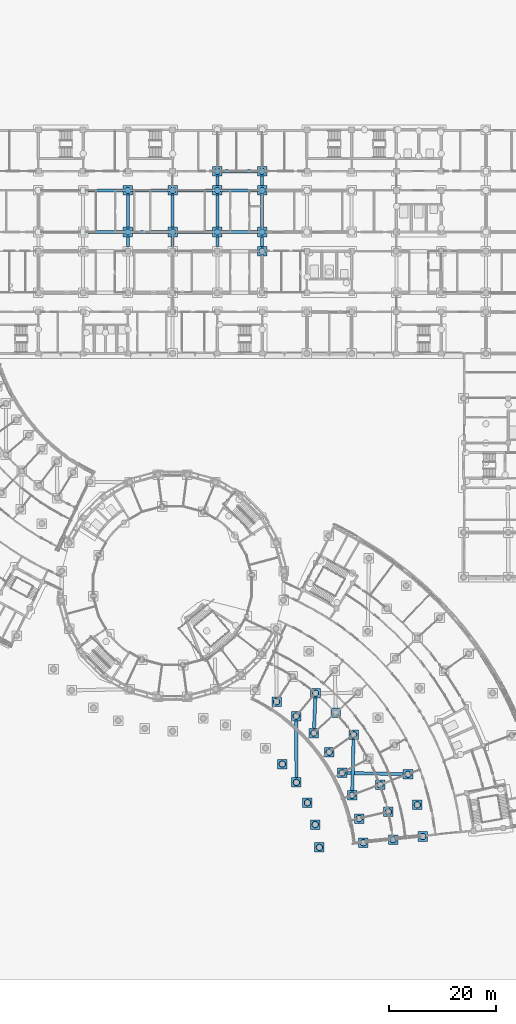
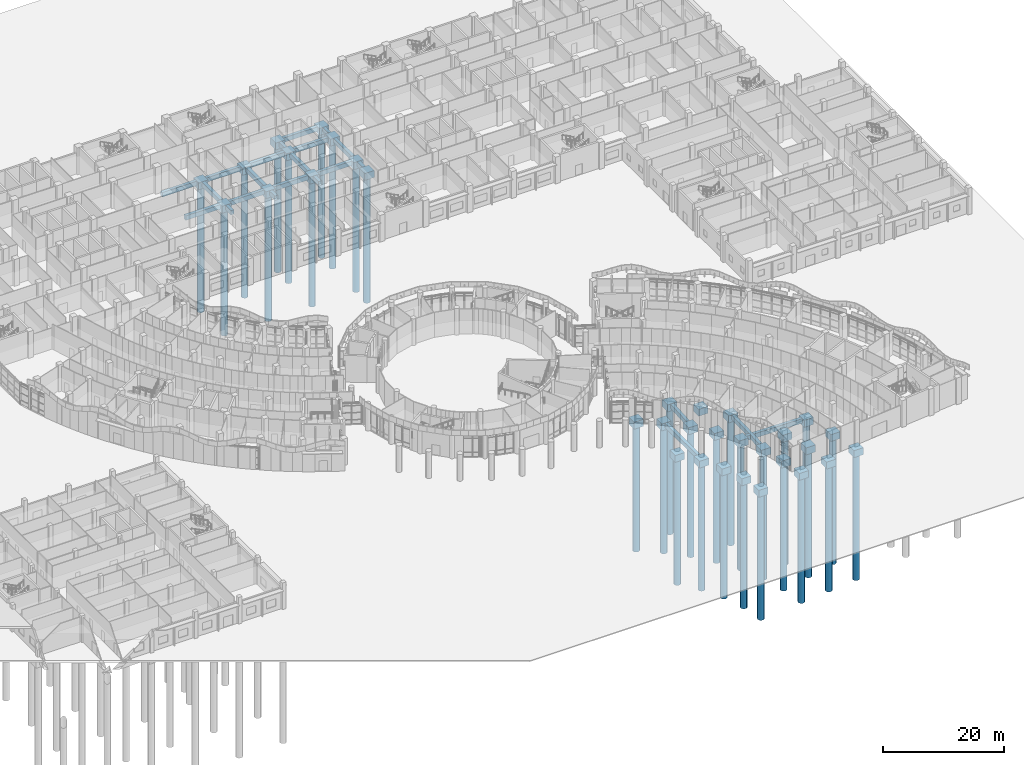
# One storey, part 6 of 146: 56 footings, 32 piles.
"""IFC4 building model written with IfcOpenShell, lengths in metres."""

from ifc_helpers import new_model, si_unit, direction, frame, origin, origin_2d, place, context, subcontext, project, spatial, polyline, rectangle, circle, outline, extrude, material, material_profile, profile_set, type_object, element, save


model = new_model("IFC4")

# Units and contexts
model_context = context("Model", 3, precision=1e-05, world=origin(), true_north=direction((0.0, 1.0)))
body_context = subcontext(model_context, "Body", "Model", "MODEL_VIEW")
ifc_project = project(units=[si_unit("LENGTHUNIT", "METRE"), si_unit("AREAUNIT", "SQUARE_METRE"), si_unit("VOLUMEUNIT", "CUBIC_METRE"), si_unit("PLANEANGLEUNIT", "RADIAN"), si_unit("MASSUNIT", "GRAM", prefix="KILO")], contexts=[model_context])

# Site, building, storey
site_placement = place(None, origin())
site = spatial("IfcSite", under=ifc_project, at=site_placement, CompositionType="ELEMENT")
building_placement = place(site_placement, origin())
building = spatial("IfcBuilding", under=site, at=building_placement, Name="Bougainvillea Quay General Hospital", CompositionType="ELEMENT")
storey_placement = place(building_placement, origin())
storey = spatial("IfcBuildingStorey", under=building, at=storey_placement, Name="L00", CompositionType="ELEMENT", Elevation=0.0)

# Piles
ifc_material_1 = material(Name="Concrete C40", Category="concrete")
ifc_material_profile_1 = material_profile(ifc_material_1, circle(Radius=0.60009765625, at=origin_2d()))
ifc_profile_set_1 = profile_set([ifc_material_profile_1], Name="Concrete C40")
pile_type = type_object("IfcPileType", Name="BORED PILE D1200 C40", PredefinedType="BORED", material=ifc_profile_set_1)
for number, where, z_axis, x_axis, name in (
    (1, (136.748046875, 24.89501953125, -1.60009765625), (0.0, 0.0, -1.0), (1.0, 0.0, 0.0), "Bored pile 001-01"),
    (2, (145.0029296875, 25.76611328125, -1.60009765625), (0.0, 0.0, -1.0), (1.0, 0.0, 0.0), "Bored pile 002-01"),
    (3, (150.572021484375, 26.35107421875, -1.60009765625), (0.0, 0.0, -1.0), (1.0, 0.0, 0.0), "Bored pile 003-01"),
    (4, (156.14111328125, 26.93701171875, -1.60009765625), (0.0, 0.0, -1.0), (1.0, 0.0, 0.0), "Bored pile 004-01"),
    (5, (135.9560546875, 29.1689453125, -1.60009765625), (0.0, 0.0, -1.0), (1.0, 0.0, 0.0), "Bored pile 006-01"),
    (6, (144.23193359375, 30.2919921875, -1.60009765625), (0.0, 0.0, -1.0), (1.0, 0.0, 0.0), "Bored pile 007-01"),
    (7, (149.681884765625, 31.5810546875, -1.60009765625), (0.0, 0.0, -1.0), (1.0, 0.0, 0.0), "Bored pile 008-01"),
    (8, (155.131103515625, 32.87109375, -1.60009765625), (0.0, 0.0, -1.0), (1.0, 0.0, 0.0), "Bored pile 010-01"),
    (9, (134.5048828125, 33.26708984375, -1.60009765625), (0.0, 0.0, -1.0), (1.0, 0.0, 0.0), "Bored pile 011-01"),
    (10, (142.89208984375, 34.68310546875, -1.60009765625), (0.0, 0.0, -1.0), (1.0, 0.0, 0.0), "Bored pile 018-01"),
    (11, (148.133056640625, 36.656005859375, -1.60009765625), (0.0, 0.0, -1.0), (1.0, 0.0, 0.0), "Bored pile 019-01"),
    (12, (132.430908203125, 37.0869140625, -1.60009765625), (0.0, 0.0, -1.0), (1.0, 0.0, 0.0), "Bored pile 020-01"),
    (13, (153.3740234375, 38.62890625, -1.60009765625), (0.0, 0.0, -1.0), (1.0, 0.0, 0.0), "Bored pile 022-01"),
    (14, (141.00390625, 38.867919921875, -1.60009765625), (0.0, 0.0, -1.0), (1.0, 0.0, 0.0), "Bored pile 023-01"),
    (15, (129.784912109375, 40.534912109375, -1.60009765625), (0.0, 0.0, -1.0), (1.0, 0.0, 0.0), "Bored pile 024-01"),
    (16, (138.597900390625, 42.778076171875, -1.60009765625), (0.0, 0.0, -1.0), (1.0, 0.0, 0.0), "Bored pile 032-01"),
    (17, (143.1708984375, 46.010009765625, -1.60009765625), (0.0, 0.0, -1.0), (1.0, 0.0, 0.0), "Bored pile 037-01"),
    (18, (135.715087890625, 46.35107421875, -1.60009765625), (0.0, 0.0, -1.0), (1.0, 0.0, 0.0), "Bored pile 038-01"),
    (19, (132.39990234375, 49.527099609375, -1.60009765625), (0.0, 0.0, -1.0), (1.0, 0.0, 0.0), "Bored pile 046-01"),
    (20, (128.7080078125, 52.256103515625, -1.60009765625), (0.0, 0.0, -1.0), (1.0, 0.0, 0.0), "Bored pile 052-01"),
    (21, (136.009033203125, 53.81005859375, -1.60009765625), (0.0, 0.0, -1.0), (1.0, 0.0, 0.0), "Bored pile 055-01"),
    (22, (126.0, 136.800048828125, -1.60009765625), (0.0, 0.0, -1.0), (1.0, 0.0, 0.0), "Bored pile 229-01"),
    (23, (100.800048828125, 140.39990234375, -1.60009765625), (0.0, 0.0, -1.0), (1.0, 0.0, 0.0), "Bored pile 241-01"),
    (24, (109.199951171875, 140.39990234375, -1.60009765625), (0.0, 0.0, -1.0), (1.0, 0.0, 0.0), "Bored pile 242-01"),
    (25, (117.60009765625, 140.39990234375, -1.60009765625), (0.0, 0.0, -1.0), (1.0, 0.0, 0.0), "Bored pile 243-01"),
    (26, (126.0, 140.39990234375, -1.60009765625), (0.0, 0.0, -1.0), (1.0, 0.0, 0.0), "Bored pile 244-01"),
    (27, (100.800048828125, 148.199951171875, -1.60009765625), (0.0, 0.0, -1.0), (1.0, 0.0, 0.0), "Bored pile 258-01"),
    (28, (109.199951171875, 148.199951171875, -1.60009765625), (0.0, 0.0, -1.0), (1.0, 0.0, 0.0), "Bored pile 259-01"),
    (29, (117.60009765625, 148.199951171875, -1.60009765625), (0.0, 0.0, -1.0), (1.0, 0.0, 0.0), "Bored pile 260-01"),
    (30, (126.0, 148.199951171875, -1.60009765625), (0.0, 0.0, -1.0), (1.0, 0.0, 0.0), "Bored pile 261-01"),
    (31, (117.60009765625, 151.800048828125, -1.60009765625), (0.0, 0.0, -1.0), (1.0, 0.0, 0.0), "Bored pile 268-01"),
    (32, (126.0, 151.800048828125, -1.60009765625), (0.0, 0.0, -1.0), (1.0, 0.0, 0.0), "Bored pile 269-01"),
):
    element("IfcPile", number, at=place(storey_placement, frame(where, z_axis=z_axis, x_axis=x_axis)), inside=storey, type_object=pile_type, Name=name, PredefinedType="BORED", context=body_context, shape_type="SweptSolid", body=[
        extrude(circle(Radius=0.60009765625, at=origin_2d()), origin(), (0.0, 0.0, 1.0), 25.39990234375),
    ])

# Footings
ifc_material_2 = material(Name="Concrete C35", Category="concrete")
footing_type_1 = type_object("IfcFootingType", Name="PILE CAP 1P D1200 1800x1800x1400", PredefinedType="PILE_CAP", material=ifc_material_2)
footing_1_placement = place(storey_placement, frame((0.0, 0.0, -1.699951171875)))
element("IfcFooting", 33, at=footing_1_placement, inside=storey, type_object=footing_type_1, Name="Pile cap PC1 001", PredefinedType="PILE_CAP", context=body_context, shape_type="SweptSolid", body=[
    extrude(outline(polyline([(135.847900390625, 23.9951171875), (137.64794921875, 23.9951171875), (137.64794921875, 25.794921875), (135.847900390625, 25.794921875), (135.847900390625, 23.9951171875)])), origin(), (0.0, 0.0, 1.0), 1.39990234375),
])
footing_2_placement = place(storey_placement, frame((0.0, 0.0, -1.699951171875)))
element("IfcFooting", 34, at=footing_2_placement, inside=storey, type_object=footing_type_1, Name="Pile cap PC1 002", PredefinedType="PILE_CAP", context=body_context, shape_type="SweptSolid", body=[
    extrude(outline(polyline([(144.10302734375, 24.865966796875), (145.903076171875, 24.865966796875), (145.903076171875, 26.666015625), (144.10302734375, 26.666015625), (144.10302734375, 24.865966796875)])), origin(), (0.0, 0.0, 1.0), 1.39990234375),
])
footing_3_placement = place(storey_placement, frame((0.0, 0.0, -1.699951171875)))
element("IfcFooting", 35, at=footing_3_placement, inside=storey, type_object=footing_type_1, Name="Pile cap PC1 003", PredefinedType="PILE_CAP", context=body_context, shape_type="SweptSolid", body=[
    extrude(outline(polyline([(149.672119140625, 25.450927734375), (151.471923828125, 25.450927734375), (151.471923828125, 27.2509765625), (149.672119140625, 27.2509765625), (149.672119140625, 25.450927734375)])), origin(), (0.0, 0.0, 1.0), 1.39990234375),
])
footing_4_placement = place(storey_placement, frame((0.0, 0.0, -1.699951171875)))
element("IfcFooting", 36, at=footing_4_placement, inside=storey, type_object=footing_type_1, Name="Pile cap PC1 004", PredefinedType="PILE_CAP", context=body_context, shape_type="SweptSolid", body=[
    extrude(outline(polyline([(155.240966796875, 26.037109375), (157.041015625, 26.037109375), (157.041015625, 27.8369140625), (155.240966796875, 27.8369140625), (155.240966796875, 26.037109375)])), origin(), (0.0, 0.0, 1.0), 1.39990234375),
])
footing_5_placement = place(storey_placement, frame((0.0, 0.0, -1.699951171875)))
element("IfcFooting", 37, at=footing_5_placement, inside=storey, type_object=footing_type_1, Name="Pile cap PC1 006", PredefinedType="PILE_CAP", context=body_context, shape_type="SweptSolid", body=[
    extrude(outline(polyline([(135.055908203125, 28.26904296875), (136.85595703125, 28.26904296875), (136.85595703125, 30.069091796875), (135.055908203125, 30.069091796875), (135.055908203125, 28.26904296875)])), origin(), (0.0, 0.0, 1.0), 1.39990234375),
])
footing_6_placement = place(storey_placement, frame((0.0, 0.0, -1.699951171875)))
element("IfcFooting", 38, at=footing_6_placement, inside=storey, type_object=footing_type_1, Name="Pile cap PC1 007", PredefinedType="PILE_CAP", context=body_context, shape_type="SweptSolid", body=[
    extrude(outline(polyline([(143.33203125, 29.39208984375), (145.132080078125, 29.39208984375), (145.132080078125, 31.19189453125), (143.33203125, 31.19189453125), (143.33203125, 29.39208984375)])), origin(), (0.0, 0.0, 1.0), 1.39990234375),
])
footing_7_placement = place(storey_placement, frame((0.0, 0.0, -1.699951171875)))
element("IfcFooting", 39, at=footing_7_placement, inside=storey, type_object=footing_type_1, Name="Pile cap PC1 008", PredefinedType="PILE_CAP", context=body_context, shape_type="SweptSolid", body=[
    extrude(outline(polyline([(148.781982421875, 30.680908203125), (150.58203125, 30.680908203125), (150.58203125, 32.48095703125), (148.781982421875, 32.48095703125), (148.781982421875, 30.680908203125)])), origin(), (0.0, 0.0, 1.0), 1.39990234375),
])
footing_8_placement = place(storey_placement, frame((0.0, 0.0, -1.699951171875)))
element("IfcFooting", 40, at=footing_8_placement, inside=storey, type_object=footing_type_1, Name="Pile cap PC1 010", PredefinedType="PILE_CAP", context=body_context, shape_type="SweptSolid", body=[
    extrude(outline(polyline([(154.23095703125, 31.970947265625), (156.031005859375, 31.970947265625), (156.031005859375, 33.77099609375), (154.23095703125, 33.77099609375), (154.23095703125, 31.970947265625)])), origin(), (0.0, 0.0, 1.0), 1.39990234375),
])
footing_9_placement = place(storey_placement, frame((0.0, 0.0, -1.699951171875)))
element("IfcFooting", 41, at=footing_9_placement, inside=storey, type_object=footing_type_1, Name="Pile cap PC1 011", PredefinedType="PILE_CAP", context=body_context, shape_type="SweptSolid", body=[
    extrude(outline(polyline([(133.60498046875, 32.366943359375), (135.405029296875, 32.366943359375), (135.405029296875, 34.1669921875), (133.60498046875, 34.1669921875), (133.60498046875, 32.366943359375)])), origin(), (0.0, 0.0, 1.0), 1.39990234375),
])
footing_10_placement = place(storey_placement, frame((0.0, 0.0, -1.699951171875)))
element("IfcFooting", 42, at=footing_10_placement, inside=storey, type_object=footing_type_1, Name="Pile cap PC1 018", PredefinedType="PILE_CAP", context=body_context, shape_type="SweptSolid", body=[
    extrude(outline(polyline([(141.991943359375, 33.782958984375), (143.7919921875, 33.782958984375), (143.7919921875, 35.5830078125), (141.991943359375, 35.5830078125), (141.991943359375, 33.782958984375)])), origin(), (0.0, 0.0, 1.0), 1.39990234375),
])
footing_11_placement = place(storey_placement, frame((0.0, 0.0, -1.699951171875)))
element("IfcFooting", 43, at=footing_11_placement, inside=storey, type_object=footing_type_1, Name="Pile cap PC1 019", PredefinedType="PILE_CAP", context=body_context, shape_type="SweptSolid", body=[
    extrude(outline(polyline([(147.23291015625, 35.756103515625), (149.032958984375, 35.756103515625), (149.032958984375, 37.555908203125), (147.23291015625, 37.555908203125), (147.23291015625, 35.756103515625)])), origin(), (0.0, 0.0, 1.0), 1.39990234375),
])
footing_12_placement = place(storey_placement, frame((0.0, 0.0, -1.699951171875)))
element("IfcFooting", 44, at=footing_12_placement, inside=storey, type_object=footing_type_1, Name="Pile cap PC1 020", PredefinedType="PILE_CAP", context=body_context, shape_type="SweptSolid", body=[
    extrude(outline(polyline([(131.531005859375, 36.18701171875), (133.3310546875, 36.18701171875), (133.3310546875, 37.987060546875), (131.531005859375, 37.987060546875), (131.531005859375, 36.18701171875)])), origin(), (0.0, 0.0, 1.0), 1.39990234375),
])
footing_13_placement = place(storey_placement, frame((0.0, 0.0, -1.699951171875)))
element("IfcFooting", 45, at=footing_13_placement, inside=storey, type_object=footing_type_1, Name="Pile cap PC1 022", PredefinedType="PILE_CAP", context=body_context, shape_type="SweptSolid", body=[
    extrude(outline(polyline([(152.47412109375, 37.72900390625), (154.27392578125, 37.72900390625), (154.27392578125, 39.529052734375), (152.47412109375, 39.529052734375), (152.47412109375, 37.72900390625)])), origin(), (0.0, 0.0, 1.0), 1.39990234375),
])
footing_14_placement = place(storey_placement, frame((0.0, 0.0, -1.699951171875)))
element("IfcFooting", 46, at=footing_14_placement, inside=storey, type_object=footing_type_1, Name="Pile cap PC1 023", PredefinedType="PILE_CAP", context=body_context, shape_type="SweptSolid", body=[
    extrude(outline(polyline([(140.10400390625, 37.968017578125), (141.904052734375, 37.968017578125), (141.904052734375, 39.76806640625), (140.10400390625, 39.76806640625), (140.10400390625, 37.968017578125)])), origin(), (0.0, 0.0, 1.0), 1.39990234375),
])
footing_15_placement = place(storey_placement, frame((0.0, 0.0, -1.699951171875)))
element("IfcFooting", 47, at=footing_15_placement, inside=storey, type_object=footing_type_1, Name="Pile cap PC1 024", PredefinedType="PILE_CAP", context=body_context, shape_type="SweptSolid", body=[
    extrude(outline(polyline([(128.885009765625, 39.635009765625), (130.68505859375, 39.635009765625), (130.68505859375, 41.43505859375), (128.885009765625, 41.43505859375), (128.885009765625, 39.635009765625)])), origin(), (0.0, 0.0, 1.0), 1.39990234375),
])
footing_16_placement = place(storey_placement, frame((0.0, 0.0, -1.699951171875)))
element("IfcFooting", 48, at=footing_16_placement, inside=storey, type_object=footing_type_1, Name="Pile cap PC1 032", PredefinedType="PILE_CAP", context=body_context, shape_type="SweptSolid", body=[
    extrude(outline(polyline([(137.697998046875, 41.8779296875), (139.498046875, 41.8779296875), (139.498046875, 43.677978515625), (137.697998046875, 43.677978515625), (137.697998046875, 41.8779296875)])), origin(), (0.0, 0.0, 1.0), 1.39990234375),
])
footing_17_placement = place(storey_placement, frame((0.0, 0.0, -1.699951171875)))
element("IfcFooting", 49, at=footing_17_placement, inside=storey, type_object=footing_type_1, Name="Pile cap PC1 037", PredefinedType="PILE_CAP", context=body_context, shape_type="SweptSolid", body=[
    extrude(outline(polyline([(142.27099609375, 45.110107421875), (144.071044921875, 45.110107421875), (144.071044921875, 46.909912109375), (142.27099609375, 46.909912109375), (142.27099609375, 45.110107421875)])), origin(), (0.0, 0.0, 1.0), 1.39990234375),
])
footing_18_placement = place(storey_placement, frame((0.0, 0.0, -1.699951171875)))
element("IfcFooting", 50, at=footing_18_placement, inside=storey, type_object=footing_type_1, Name="Pile cap PC1 038", PredefinedType="PILE_CAP", context=body_context, shape_type="SweptSolid", body=[
    extrude(outline(polyline([(134.81494140625, 45.450927734375), (136.614990234375, 45.450927734375), (136.614990234375, 47.2509765625), (134.81494140625, 47.2509765625), (134.81494140625, 45.450927734375)])), origin(), (0.0, 0.0, 1.0), 1.39990234375),
])
footing_19_placement = place(storey_placement, frame((0.0, 0.0, -1.699951171875)))
element("IfcFooting", 51, at=footing_19_placement, inside=storey, type_object=footing_type_1, Name="Pile cap PC1 046", PredefinedType="PILE_CAP", context=body_context, shape_type="SweptSolid", body=[
    extrude(outline(polyline([(131.5, 48.626953125), (133.300048828125, 48.626953125), (133.300048828125, 50.427001953125), (131.5, 50.427001953125), (131.5, 48.626953125)])), origin(), (0.0, 0.0, 1.0), 1.39990234375),
])
footing_20_placement = place(storey_placement, frame((0.0, 0.0, -1.699951171875)))
element("IfcFooting", 52, at=footing_20_placement, inside=storey, type_object=footing_type_1, Name="Pile cap PC1 047", PredefinedType="PILE_CAP", context=body_context, shape_type="SweptSolid", body=[
    extrude(outline(polyline([(138.93896484375, 49.239013671875), (140.739013671875, 49.239013671875), (140.739013671875, 51.0390625), (138.93896484375, 51.0390625), (138.93896484375, 49.239013671875)])), origin(), (0.0, 0.0, 1.0), 1.39990234375),
])
footing_21_placement = place(storey_placement, frame((0.0, 0.0, -1.699951171875)))
element("IfcFooting", 53, at=footing_21_placement, inside=storey, type_object=footing_type_1, Name="Pile cap PC1 052", PredefinedType="PILE_CAP", context=body_context, shape_type="SweptSolid", body=[
    extrude(outline(polyline([(127.80810546875, 51.35595703125), (129.60791015625, 51.35595703125), (129.60791015625, 53.156005859375), (127.80810546875, 53.156005859375), (127.80810546875, 51.35595703125)])), origin(), (0.0, 0.0, 1.0), 1.39990234375),
])
footing_22_placement = place(storey_placement, frame((0.0, 0.0, -1.699951171875)))
element("IfcFooting", 54, at=footing_22_placement, inside=storey, type_object=footing_type_1, Name="Pile cap PC1 055", PredefinedType="PILE_CAP", context=body_context, shape_type="SweptSolid", body=[
    extrude(outline(polyline([(135.10888671875, 52.909912109375), (136.908935546875, 52.909912109375), (136.908935546875, 54.7099609375), (135.10888671875, 54.7099609375), (135.10888671875, 52.909912109375)])), origin(), (0.0, 0.0, 1.0), 1.39990234375),
])
footing_23_placement = place(storey_placement, frame((0.0, 0.0, -1.699951171875)))
element("IfcFooting", 55, at=footing_23_placement, inside=storey, type_object=footing_type_1, Name="Pile cap PC1 229", PredefinedType="PILE_CAP", context=body_context, shape_type="SweptSolid", body=[
    extrude(outline(polyline([(125.10009765625, 135.89990234375), (126.89990234375, 135.89990234375), (126.89990234375, 137.699951171875), (125.10009765625, 137.699951171875), (125.10009765625, 135.89990234375)])), origin(), (0.0, 0.0, 1.0), 1.39990234375),
])
footing_24_placement = place(storey_placement, frame((0.0, 0.0, -1.699951171875)))
element("IfcFooting", 56, at=footing_24_placement, inside=storey, type_object=footing_type_1, Name="Pile cap PC1 241", PredefinedType="PILE_CAP", context=body_context, shape_type="SweptSolid", body=[
    extrude(outline(polyline([(99.89990234375, 139.5), (101.699951171875, 139.5), (101.699951171875, 141.300048828125), (99.89990234375, 141.300048828125), (99.89990234375, 139.5)])), origin(), (0.0, 0.0, 1.0), 1.39990234375),
])
footing_25_placement = place(storey_placement, frame((0.0, 0.0, -1.699951171875)))
element("IfcFooting", 57, at=footing_25_placement, inside=storey, type_object=footing_type_1, Name="Pile cap PC1 242", PredefinedType="PILE_CAP", context=body_context, shape_type="SweptSolid", body=[
    extrude(outline(polyline([(108.300048828125, 139.5), (110.10009765625, 139.5), (110.10009765625, 141.300048828125), (108.300048828125, 141.300048828125), (108.300048828125, 139.5)])), origin(), (0.0, 0.0, 1.0), 1.39990234375),
])
footing_26_placement = place(storey_placement, frame((0.0, 0.0, -1.699951171875)))
element("IfcFooting", 58, at=footing_26_placement, inside=storey, type_object=footing_type_1, Name="Pile cap PC1 243", PredefinedType="PILE_CAP", context=body_context, shape_type="SweptSolid", body=[
    extrude(outline(polyline([(116.699951171875, 139.5), (118.5, 139.5), (118.5, 141.300048828125), (116.699951171875, 141.300048828125), (116.699951171875, 139.5)])), origin(), (0.0, 0.0, 1.0), 1.39990234375),
])
footing_27_placement = place(storey_placement, frame((0.0, 0.0, -1.699951171875)))
element("IfcFooting", 59, at=footing_27_placement, inside=storey, type_object=footing_type_1, Name="Pile cap PC1 244", PredefinedType="PILE_CAP", context=body_context, shape_type="SweptSolid", body=[
    extrude(outline(polyline([(125.10009765625, 139.5), (126.89990234375, 139.5), (126.89990234375, 141.300048828125), (125.10009765625, 141.300048828125), (125.10009765625, 139.5)])), origin(), (0.0, 0.0, 1.0), 1.39990234375),
])
footing_28_placement = place(storey_placement, frame((0.0, 0.0, -1.699951171875)))
element("IfcFooting", 60, at=footing_28_placement, inside=storey, type_object=footing_type_1, Name="Pile cap PC1 258", PredefinedType="PILE_CAP", context=body_context, shape_type="SweptSolid", body=[
    extrude(outline(polyline([(99.89990234375, 147.300048828125), (101.699951171875, 147.300048828125), (101.699951171875, 149.10009765625), (99.89990234375, 149.10009765625), (99.89990234375, 147.300048828125)])), origin(), (0.0, 0.0, 1.0), 1.39990234375),
])
footing_29_placement = place(storey_placement, frame((0.0, 0.0, -1.699951171875)))
element("IfcFooting", 61, at=footing_29_placement, inside=storey, type_object=footing_type_1, Name="Pile cap PC1 259", PredefinedType="PILE_CAP", context=body_context, shape_type="SweptSolid", body=[
    extrude(outline(polyline([(108.300048828125, 147.300048828125), (110.10009765625, 147.300048828125), (110.10009765625, 149.10009765625), (108.300048828125, 149.10009765625), (108.300048828125, 147.300048828125)])), origin(), (0.0, 0.0, 1.0), 1.39990234375),
])
footing_30_placement = place(storey_placement, frame((0.0, 0.0, -1.699951171875)))
element("IfcFooting", 62, at=footing_30_placement, inside=storey, type_object=footing_type_1, Name="Pile cap PC1 260", PredefinedType="PILE_CAP", context=body_context, shape_type="SweptSolid", body=[
    extrude(outline(polyline([(116.699951171875, 147.300048828125), (118.5, 147.300048828125), (118.5, 149.10009765625), (116.699951171875, 149.10009765625), (116.699951171875, 147.300048828125)])), origin(), (0.0, 0.0, 1.0), 1.39990234375),
])
footing_31_placement = place(storey_placement, frame((0.0, 0.0, -1.699951171875)))
element("IfcFooting", 63, at=footing_31_placement, inside=storey, type_object=footing_type_1, Name="Pile cap PC1 261", PredefinedType="PILE_CAP", context=body_context, shape_type="SweptSolid", body=[
    extrude(outline(polyline([(125.10009765625, 147.300048828125), (126.89990234375, 147.300048828125), (126.89990234375, 149.10009765625), (125.10009765625, 149.10009765625), (125.10009765625, 147.300048828125)])), origin(), (0.0, 0.0, 1.0), 1.39990234375),
])
footing_32_placement = place(storey_placement, frame((0.0, 0.0, -1.699951171875)))
element("IfcFooting", 64, at=footing_32_placement, inside=storey, type_object=footing_type_1, Name="Pile cap PC1 268", PredefinedType="PILE_CAP", context=body_context, shape_type="SweptSolid", body=[
    extrude(outline(polyline([(116.699951171875, 150.89990234375), (118.5, 150.89990234375), (118.5, 152.699951171875), (116.699951171875, 152.699951171875), (116.699951171875, 150.89990234375)])), origin(), (0.0, 0.0, 1.0), 1.39990234375),
])
footing_33_placement = place(storey_placement, frame((0.0, 0.0, -1.699951171875)))
element("IfcFooting", 65, at=footing_33_placement, inside=storey, type_object=footing_type_1, Name="Pile cap PC1 269", PredefinedType="PILE_CAP", context=body_context, shape_type="SweptSolid", body=[
    extrude(outline(polyline([(125.10009765625, 150.89990234375), (126.89990234375, 150.89990234375), (126.89990234375, 152.699951171875), (125.10009765625, 152.699951171875), (125.10009765625, 150.89990234375)])), origin(), (0.0, 0.0, 1.0), 1.39990234375),
])
ifc_material_profile_2 = material_profile(ifc_material_2, rectangle(XDim=0.60009765625, YDim=0.89990234375, at=origin_2d()))
ifc_profile_set_2 = profile_set([ifc_material_profile_2], Name="Concrete C35")
footing_type_2 = type_object("IfcFootingType", Name="RC GROUND BEAM 600x900 C35", PredefinedType="FOOTING_BEAM", material=ifc_profile_set_2)
footing_34_placement = place(storey_placement, frame((0.0, 0.0, -1.199951171875)))
element("IfcFooting", 66, at=footing_34_placement, inside=storey, type_object=footing_type_2, Name="Ground beam 018", PredefinedType="FOOTING_BEAM", context=body_context, shape_type="SweptSolid", body=[
    extrude(outline(polyline([(142.6142578125, 35.59033203125), (142.848876953125, 45.117431640625), (143.44873046875, 45.1025390625), (143.214111328125, 35.57568359375), (142.6142578125, 35.59033203125)])), origin(), (0.0, 0.0, 1.0), 0.89990234375),
])
footing_35_placement = place(storey_placement, frame((0.0, 0.0, -1.199951171875)))
element("IfcFooting", 67, at=footing_35_placement, inside=storey, type_object=footing_type_2, Name="Ground beam 019", PredefinedType="FOOTING_BEAM", context=body_context, shape_type="SweptSolid", body=[
    extrude(outline(polyline([(132.128662109375, 37.986328125), (132.102294921875, 48.626220703125), (132.7021484375, 48.627685546875), (132.728759765625, 37.98779296875), (132.128662109375, 37.986328125)])), origin(), (0.0, 0.0, 1.0), 0.89990234375),
])
footing_36_placement = place(storey_placement, frame((0.0, 0.0, -1.199951171875)))
element("IfcFooting", 68, at=footing_36_placement, inside=storey, type_object=footing_type_2, Name="Ground beam 020", PredefinedType="FOOTING_BEAM", context=body_context, shape_type="SweptSolid", body=[
    extrude(outline(polyline([(141.909912109375, 39.150634765625), (152.479736328125, 38.9462890625), (152.46826171875, 38.346435546875), (141.898193359375, 38.55078125), (141.909912109375, 39.150634765625)])), origin(), (0.0, 0.0, 1.0), 0.89990234375),
])
footing_37_placement = place(storey_placement, frame((0.0, 0.0, -1.199951171875)))
element("IfcFooting", 69, at=footing_37_placement, inside=storey, type_object=footing_type_2, Name="Ground beam 039", PredefinedType="FOOTING_BEAM", context=body_context, shape_type="SweptSolid", body=[
    extrude(outline(polyline([(135.45068359375, 47.2626953125), (135.673828125, 52.921875), (136.273193359375, 52.898193359375), (136.05029296875, 47.2392578125), (135.45068359375, 47.2626953125)])), origin(), (0.0, 0.0, 1.0), 0.89990234375),
])
footing_38_placement = place(storey_placement, frame((0.0, 0.0, -1.199951171875)))
element("IfcFooting", 70, at=footing_38_placement, inside=storey, type_object=footing_type_2, Name="Ground beam 254", PredefinedType="FOOTING_BEAM", context=body_context, shape_type="SweptSolid", body=[
    extrude(outline(polyline([(100.5, 137.699951171875), (100.5, 139.5), (101.10009765625, 139.5), (101.10009765625, 137.699951171875), (100.5, 137.699951171875)])), origin(), (0.0, 0.0, 1.0), 0.89990234375),
])
footing_39_placement = place(storey_placement, frame((0.0, 0.0, -1.199951171875)))
element("IfcFooting", 71, at=footing_39_placement, inside=storey, type_object=footing_type_2, Name="Ground beam 256", PredefinedType="FOOTING_BEAM", context=body_context, shape_type="SweptSolid", body=[
    extrude(outline(polyline([(108.89990234375, 137.699951171875), (108.89990234375, 139.5), (109.5, 139.5), (109.5, 137.699951171875), (108.89990234375, 137.699951171875)])), origin(), (0.0, 0.0, 1.0), 0.89990234375),
])
footing_40_placement = place(storey_placement, frame((0.0, 0.0, -1.199951171875)))
element("IfcFooting", 72, at=footing_40_placement, inside=storey, type_object=footing_type_2, Name="Ground beam 258", PredefinedType="FOOTING_BEAM", context=body_context, shape_type="SweptSolid", body=[
    extrude(outline(polyline([(117.300048828125, 137.699951171875), (117.300048828125, 139.5), (117.89990234375, 139.5), (117.89990234375, 137.699951171875), (117.300048828125, 137.699951171875)])), origin(), (0.0, 0.0, 1.0), 0.89990234375),
])
footing_41_placement = place(storey_placement, frame((0.0, 0.0, -1.199951171875)))
element("IfcFooting", 73, at=footing_41_placement, inside=storey, type_object=footing_type_2, Name="Ground beam 260", PredefinedType="FOOTING_BEAM", context=body_context, shape_type="SweptSolid", body=[
    extrude(outline(polyline([(125.699951171875, 137.699951171875), (125.699951171875, 139.5), (126.300048828125, 139.5), (126.300048828125, 137.699951171875), (125.699951171875, 137.699951171875)])), origin(), (0.0, 0.0, 1.0), 0.89990234375),
])
footing_42_placement = place(storey_placement, frame((0.0, 0.0, -1.199951171875)))
element("IfcFooting", 74, at=footing_42_placement, inside=storey, type_object=footing_type_2, Name="Ground beam 278", PredefinedType="FOOTING_BEAM", context=body_context, shape_type="SweptSolid", body=[
    extrude(outline(polyline([(93.300048828125, 140.699951171875), (99.89990234375, 140.699951171875), (99.89990234375, 140.10009765625), (93.300048828125, 140.10009765625), (93.300048828125, 140.699951171875)])), origin(), (0.0, 0.0, 1.0), 0.89990234375),
])
footing_43_placement = place(storey_placement, frame((0.0, 0.0, -1.199951171875)))
element("IfcFooting", 75, at=footing_43_placement, inside=storey, type_object=footing_type_2, Name="Ground beam 280", PredefinedType="FOOTING_BEAM", context=body_context, shape_type="SweptSolid", body=[
    extrude(outline(polyline([(101.699951171875, 140.699951171875), (108.300048828125, 140.699951171875), (108.300048828125, 140.10009765625), (101.699951171875, 140.10009765625), (101.699951171875, 140.699951171875)])), origin(), (0.0, 0.0, 1.0), 0.89990234375),
])
footing_44_placement = place(storey_placement, frame((0.0, 0.0, -1.199951171875)))
element("IfcFooting", 76, at=footing_44_placement, inside=storey, type_object=footing_type_2, Name="Ground beam 281", PredefinedType="FOOTING_BEAM", context=body_context, shape_type="SweptSolid", body=[
    extrude(outline(polyline([(100.5, 141.300048828125), (100.5, 147.300048828125), (101.10009765625, 147.300048828125), (101.10009765625, 141.300048828125), (100.5, 141.300048828125)])), origin(), (0.0, 0.0, 1.0), 0.89990234375),
])
footing_45_placement = place(storey_placement, frame((0.0, 0.0, -1.199951171875)))
element("IfcFooting", 77, at=footing_45_placement, inside=storey, type_object=footing_type_2, Name="Ground beam 282", PredefinedType="FOOTING_BEAM", context=body_context, shape_type="SweptSolid", body=[
    extrude(outline(polyline([(110.10009765625, 140.699951171875), (116.699951171875, 140.699951171875), (116.699951171875, 140.10009765625), (110.10009765625, 140.10009765625), (110.10009765625, 140.699951171875)])), origin(), (0.0, 0.0, 1.0), 0.89990234375),
])
footing_46_placement = place(storey_placement, frame((0.0, 0.0, -1.199951171875)))
element("IfcFooting", 78, at=footing_46_placement, inside=storey, type_object=footing_type_2, Name="Ground beam 283", PredefinedType="FOOTING_BEAM", context=body_context, shape_type="SweptSolid", body=[
    extrude(outline(polyline([(108.89990234375, 141.300048828125), (108.89990234375, 147.300048828125), (109.5, 147.300048828125), (109.5, 141.300048828125), (108.89990234375, 141.300048828125)])), origin(), (0.0, 0.0, 1.0), 0.89990234375),
])
footing_47_placement = place(storey_placement, frame((0.0, 0.0, -1.199951171875)))
element("IfcFooting", 79, at=footing_47_placement, inside=storey, type_object=footing_type_2, Name="Ground beam 284", PredefinedType="FOOTING_BEAM", context=body_context, shape_type="SweptSolid", body=[
    extrude(outline(polyline([(118.5, 140.699951171875), (125.10009765625, 140.699951171875), (125.10009765625, 140.10009765625), (118.5, 140.10009765625), (118.5, 140.699951171875)])), origin(), (0.0, 0.0, 1.0), 0.89990234375),
])
footing_48_placement = place(storey_placement, frame((0.0, 0.0, -1.199951171875)))
element("IfcFooting", 80, at=footing_48_placement, inside=storey, type_object=footing_type_2, Name="Ground beam 285", PredefinedType="FOOTING_BEAM", context=body_context, shape_type="SweptSolid", body=[
    extrude(outline(polyline([(117.300048828125, 141.300048828125), (117.300048828125, 147.300048828125), (117.89990234375, 147.300048828125), (117.89990234375, 141.300048828125), (117.300048828125, 141.300048828125)])), origin(), (0.0, 0.0, 1.0), 0.89990234375),
])
footing_49_placement = place(storey_placement, frame((0.0, 0.0, -1.199951171875)))
element("IfcFooting", 81, at=footing_49_placement, inside=storey, type_object=footing_type_2, Name="Ground beam 287", PredefinedType="FOOTING_BEAM", context=body_context, shape_type="SweptSolid", body=[
    extrude(outline(polyline([(125.699951171875, 141.300048828125), (125.699951171875, 147.300048828125), (126.300048828125, 147.300048828125), (126.300048828125, 141.300048828125), (125.699951171875, 141.300048828125)])), origin(), (0.0, 0.0, 1.0), 0.89990234375),
])
footing_50_placement = place(storey_placement, frame((0.0, 0.0, -1.199951171875)))
element("IfcFooting", 82, at=footing_50_placement, inside=storey, type_object=footing_type_2, Name="Ground beam 304", PredefinedType="FOOTING_BEAM", context=body_context, shape_type="SweptSolid", body=[
    extrude(outline(polyline([(93.300048828125, 148.5), (99.89990234375, 148.5), (99.89990234375, 147.89990234375), (93.300048828125, 147.89990234375), (93.300048828125, 148.5)])), origin(), (0.0, 0.0, 1.0), 0.89990234375),
])
footing_51_placement = place(storey_placement, frame((0.0, 0.0, -1.199951171875)))
element("IfcFooting", 83, at=footing_51_placement, inside=storey, type_object=footing_type_2, Name="Ground beam 305", PredefinedType="FOOTING_BEAM", context=body_context, shape_type="SweptSolid", body=[
    extrude(outline(polyline([(101.699951171875, 148.5), (108.300048828125, 148.5), (108.300048828125, 147.89990234375), (101.699951171875, 147.89990234375), (101.699951171875, 148.5)])), origin(), (0.0, 0.0, 1.0), 0.89990234375),
])
footing_52_placement = place(storey_placement, frame((0.0, 0.0, -1.199951171875)))
element("IfcFooting", 84, at=footing_52_placement, inside=storey, type_object=footing_type_2, Name="Ground beam 306", PredefinedType="FOOTING_BEAM", context=body_context, shape_type="SweptSolid", body=[
    extrude(outline(polyline([(110.10009765625, 148.5), (116.699951171875, 148.5), (116.699951171875, 147.89990234375), (110.10009765625, 147.89990234375), (110.10009765625, 148.5)])), origin(), (0.0, 0.0, 1.0), 0.89990234375),
])
footing_53_placement = place(storey_placement, frame((0.0, 0.0, -1.199951171875)))
element("IfcFooting", 85, at=footing_53_placement, inside=storey, type_object=footing_type_2, Name="Ground beam 307", PredefinedType="FOOTING_BEAM", context=body_context, shape_type="SweptSolid", body=[
    extrude(outline(polyline([(118.5, 148.5), (125.10009765625, 148.5), (125.10009765625, 147.89990234375), (118.5, 147.89990234375), (118.5, 148.5)])), origin(), (0.0, 0.0, 1.0), 0.89990234375),
])
footing_54_placement = place(storey_placement, frame((0.0, 0.0, -1.199951171875)))
element("IfcFooting", 86, at=footing_54_placement, inside=storey, type_object=footing_type_2, Name="Ground beam 308", PredefinedType="FOOTING_BEAM", context=body_context, shape_type="SweptSolid", body=[
    extrude(outline(polyline([(117.300048828125, 149.10009765625), (117.300048828125, 150.89990234375), (117.89990234375, 150.89990234375), (117.89990234375, 149.10009765625), (117.300048828125, 149.10009765625)])), origin(), (0.0, 0.0, 1.0), 0.89990234375),
])
footing_55_placement = place(storey_placement, frame((0.0, 0.0, -1.199951171875)))
element("IfcFooting", 87, at=footing_55_placement, inside=storey, type_object=footing_type_2, Name="Ground beam 310", PredefinedType="FOOTING_BEAM", context=body_context, shape_type="SweptSolid", body=[
    extrude(outline(polyline([(125.699951171875, 149.10009765625), (125.699951171875, 150.89990234375), (126.300048828125, 150.89990234375), (126.300048828125, 149.10009765625), (125.699951171875, 149.10009765625)])), origin(), (0.0, 0.0, 1.0), 0.89990234375),
])
footing_56_placement = place(storey_placement, frame((0.0, 0.0, -1.199951171875)))
element("IfcFooting", 88, at=footing_56_placement, inside=storey, type_object=footing_type_2, Name="Ground beam 318", PredefinedType="FOOTING_BEAM", context=body_context, shape_type="SweptSolid", body=[
    extrude(outline(polyline([(118.5, 152.10009765625), (125.10009765625, 152.10009765625), (125.10009765625, 151.5), (118.5, 151.5), (118.5, 152.10009765625)])), origin(), (0.0, 0.0, 1.0), 0.89990234375),
])

save(model, "model.ifc")
